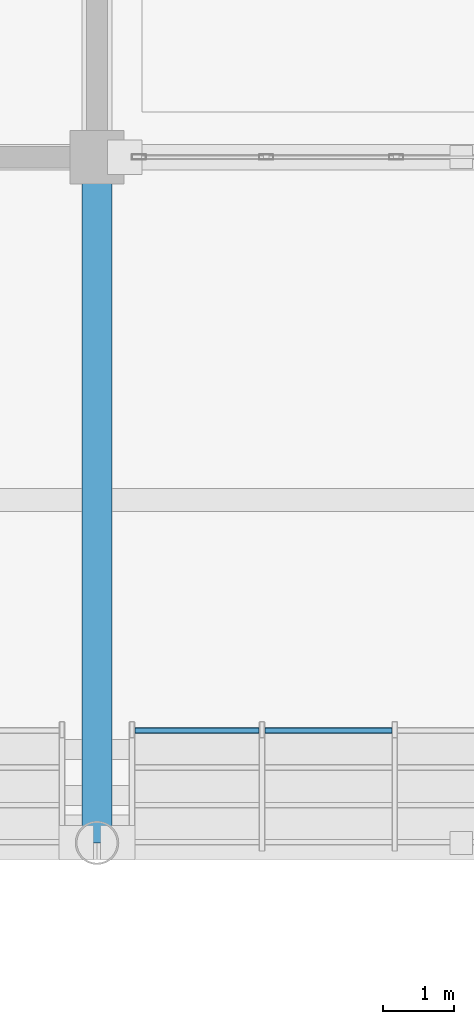
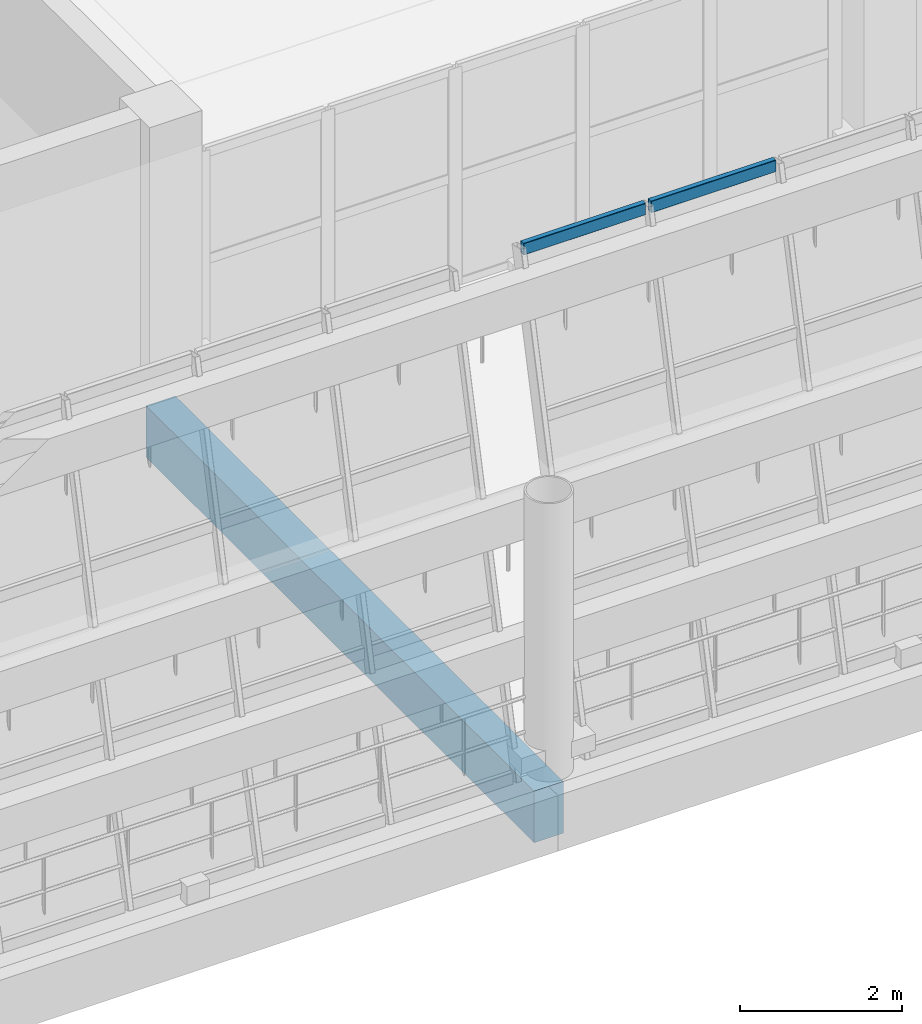
# One storey, part 37 of 157: 2 members, 1 beam, 1 element without a shape of its own.
"""IFC4 building model written with IfcOpenShell, lengths in metres."""

from ifc_helpers import new_model, si_unit, direction, frame, origin, origin_2d, place, context, subcontext, project, spatial, rectangle, hollow_rectangle, extrude, material, material_profile, profile_set, type_object, element, aggregate, save


model = new_model("IFC4")

# Units and contexts
model_context = context("Model", 3, precision=1e-05, world=origin(), true_north=direction((0.0, 1.0)))
body_context = subcontext(model_context, "Body", "Model", "MODEL_VIEW")
ifc_project = project(units=[si_unit("LENGTHUNIT", "METRE"), si_unit("AREAUNIT", "SQUARE_METRE"), si_unit("VOLUMEUNIT", "CUBIC_METRE"), si_unit("PLANEANGLEUNIT", "RADIAN"), si_unit("MASSUNIT", "GRAM", prefix="KILO")], contexts=[model_context])

# Site, building, storey
site_placement = place(None, origin())
site = spatial("IfcSite", under=ifc_project, at=site_placement, CompositionType="ELEMENT")
building_placement = place(site_placement, origin())
building = spatial("IfcBuilding", under=site, at=building_placement, Name="Brelvane Convention Centre", CompositionType="ELEMENT")
storey_placement = place(building_placement, frame((0.0, 0.0, 10.800048828125)))
storey = spatial("IfcBuildingStorey", under=building, at=storey_placement, Name="L02", CompositionType="ELEMENT", Elevation=10.800048828125)

# Curtain wall, members
ifc_material_1 = material(Name="Anodised Aluminium Alloy 6063-T6", Category="aluminium")
curtain_wall_type = type_object("IfcCurtainWallType", Name="Curtain Wall CW-HULL-N", PredefinedType="USERDEFINED", material=ifc_material_1)
curtain_wall_placement = place(storey_placement, origin())
curtain_wall = element("IfcCurtainWall", 1, at=curtain_wall_placement, inside=storey, type_object=curtain_wall_type, Name="Curtain Wall CW-HULL-N L02-V1N-HULL-05", ObjectType="UNITISED", PredefinedType="USERDEFINED")
ifc_material_2 = material(Name="Anodised Aluminium Alloy 6063-T6", Category="aluminium")
ifc_material_profile_1 = material_profile(ifc_material_2, hollow_rectangle(XDim=0.080078125, YDim=0.179931640625, WallThickness=0.0048828125, InnerFilletRadius=0.0048828125, OuterFilletRadius=0.010009765625, at=origin_2d()), Name="ALU-T 180x80x5.0")
ifc_profile_set_1 = profile_set([ifc_material_profile_1], Name="Anodised Aluminium Alloy 6063-T6")
member_type = type_object("IfcMemberType", Name="Curtain Transom CW-T1", PredefinedType="USERDEFINED", material=ifc_profile_set_1)
member_1_placement = place(storey_placement, frame((41.330078125, 101.173828125, 6.7099609375), z_axis=(1.0, 0.0, 0.0), x_axis=(0.0, 1.0, 0.0)))
member_1 = element("IfcMember", 2, at=member_1_placement, type_object=member_type, Name="CW-HULL-N transom 1.4", ObjectType="TRANSOM", PredefinedType="USERDEFINED", context=body_context, shape_type="SweptSolid", body=[
    extrude(hollow_rectangle(XDim=0.080078125, YDim=0.179931640625, WallThickness=0.0048828125, InnerFilletRadius=0.0048828125, OuterFilletRadius=0.010009765625, at=origin_2d()), origin(), (0.0, 0.0, 1.0), 1.739990234375),
])
member_2_placement = place(storey_placement, frame((43.14990234375, 101.173828125, 6.7099609375), z_axis=(1.0, 0.0, 0.0), x_axis=(0.0, 1.0, 0.0)))
member_2 = element("IfcMember", 3, at=member_2_placement, type_object=member_type, Name="CW-HULL-N transom 2.4", ObjectType="TRANSOM", PredefinedType="USERDEFINED", context=body_context, shape_type="SweptSolid", body=[
    extrude(hollow_rectangle(XDim=0.080078125, YDim=0.179931640625, WallThickness=0.0048828125, InnerFilletRadius=0.0048828125, OuterFilletRadius=0.010009765625, at=origin_2d()), origin(), (0.0, 0.0, 1.0), 1.780029296875),
])
aggregate(curtain_wall, [member_1, member_2])

# Beam
ifc_material_3 = material(Name="Concrete M40", Category="concrete")
ifc_material_profile_2 = material_profile(ifc_material_3, rectangle(XDim=0.419921875, YDim=0.780029296875, at=origin_2d()), Name="RC 420x780")
ifc_profile_set_2 = profile_set([ifc_material_profile_2], Name="Concrete M40")
beam_type = type_object("IfcBeamType", Name="RC Beam B-RC12 (RC 420x780)", PredefinedType="BEAM", material=ifc_profile_set_2)
beam_placement = place(storey_placement, frame((40.800048828125, 99.60009765625, -0.670166015625), z_axis=(0.0, 1.0, 0.0), x_axis=(-1.0, 0.0, 0.0)))
element("IfcBeam", 4, at=beam_placement, inside=storey, type_object=beam_type, Name="L02 Girder 5/K-L", PredefinedType="BEAM", context=body_context, shape_type="SweptSolid", body=[
    extrude(rectangle(XDim=0.419921875, YDim=0.780029296875, at=origin_2d()), origin(), (0.0, 0.0, 1.0), 9.599853515625),
])

save(model, "model.ifc")
